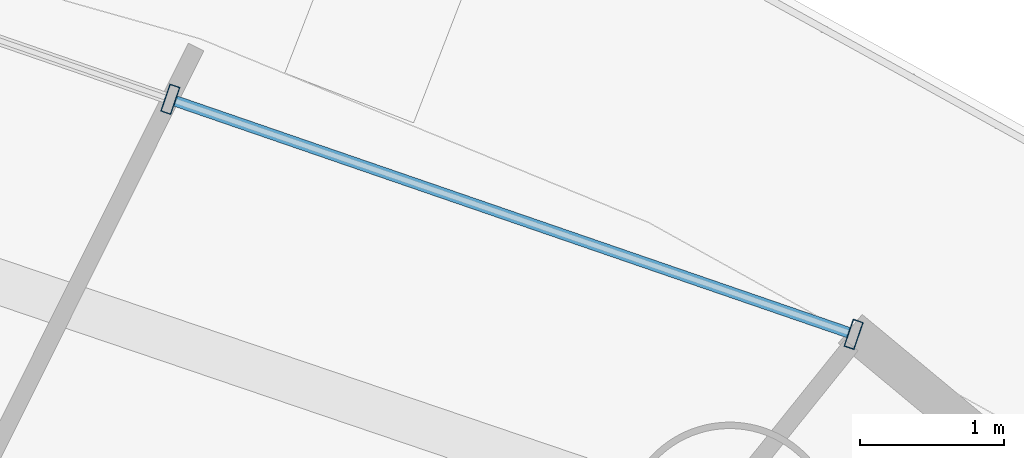
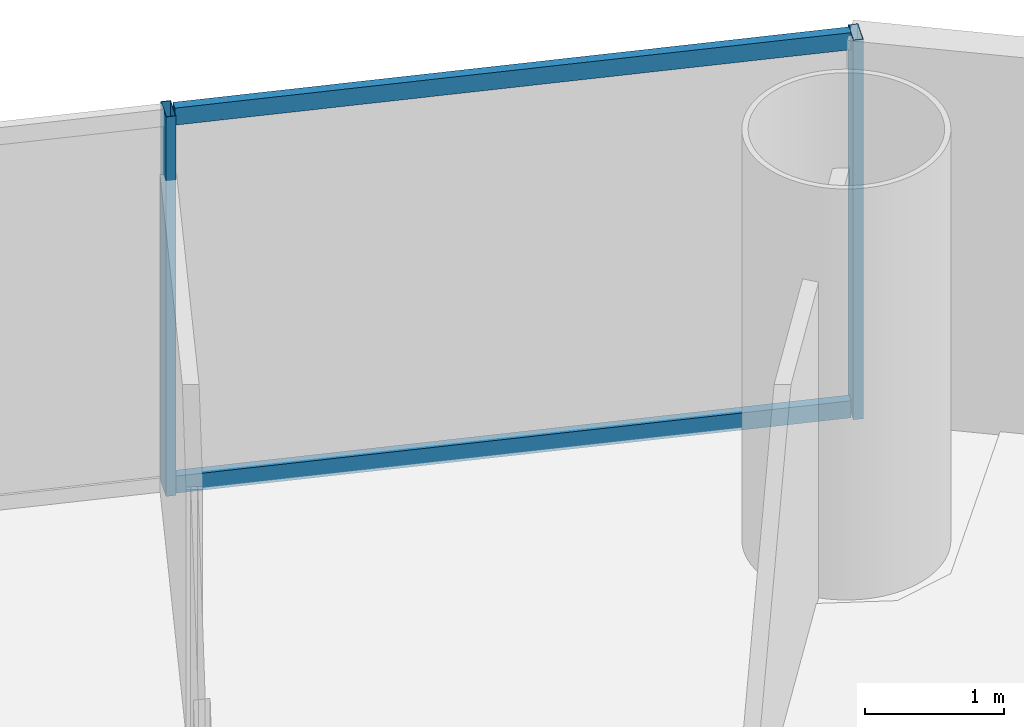
# One storey, part 20 of 29: 4 members, 1 element without a shape of its own.
"""IFC4 building model written with IfcOpenShell, lengths in metres."""

from ifc_helpers import new_model, si_unit, direction, frame, origin, origin_2d, place, context, subcontext, project, spatial, hollow_rectangle, extrude, source, transform, mapped, material, material_profile, profile_set, type_object, element, aggregate, save


model = new_model("IFC4")

# Units and contexts
model_context = context("Model", 3, precision=1e-05, world=origin(), true_north=direction((-0.2419218956, 0.970295726276)))
body_context = subcontext(model_context, "Body", "Model", "MODEL_VIEW")
ifc_project = project(units=[si_unit("LENGTHUNIT", "METRE"), si_unit("AREAUNIT", "SQUARE_METRE"), si_unit("VOLUMEUNIT", "CUBIC_METRE"), si_unit("PLANEANGLEUNIT", "RADIAN"), si_unit("MASSUNIT", "GRAM", prefix="KILO")], contexts=[model_context])

# Site, building, storey
site_placement = place(None, origin())
site = spatial("IfcSite", under=ifc_project, at=site_placement, CompositionType="ELEMENT")
building_placement = place(site_placement, origin())
building = spatial("IfcBuilding", under=site, at=building_placement, Name="Cobrevalo Terracotta Tower", CompositionType="ELEMENT")
storey_placement = place(building_placement, frame((0.0, 0.0, 123.0)))
storey = spatial("IfcBuildingStorey", under=building, at=storey_placement, Name="L32", CompositionType="ELEMENT", Elevation=123.0)

# Curtain wall, members
ifc_material = material(Name="Anodized aluminium", Category="aluminium")
curtain_wall_type = type_object("IfcCurtainWallType", Name="Lower-tower unitised acoustic low-E curtain wall CW-U1", PredefinedType="NOTDEFINED", material=ifc_material)
curtain_wall_placement = place(storey_placement, origin())
curtain_wall = element("IfcCurtainWall", 1, at=curtain_wall_placement, inside=storey, type_object=curtain_wall_type, Name="L32 curtain wall CW-L32-S03", PredefinedType="NOTDEFINED")
ifc_material_profile_1 = material_profile(ifc_material, hollow_rectangle(XDim=0.074951171875, YDim=0.199951171875, WallThickness=0.0048828125, at=origin_2d()), Name="CWM 75x200")
ifc_profile_set_1 = profile_set([ifc_material_profile_1], Name="Anodized aluminium")
member_type_1 = type_object("IfcMemberType", Name="Lower/mid tower unitised mullion 75x200", PredefinedType="MULLION", material=ifc_profile_set_1)
shared_shape_1 = source(origin(), body_context, "Body", "SweptSolid", [
    extrude(hollow_rectangle(XDim=0.074951171875, YDim=0.199951171875, WallThickness=0.0048828125, at=origin_2d()), origin(), (0.0, 0.0, 1.0), 3.324951171875),
])
member_1_placement = place(storey_placement, frame((52.7236328125, 45.16357421875, 0.0), z_axis=(0.0, 0.0, 1.0), x_axis=(-0.94559809868, 0.325337110968, 0.0)))
member_1 = element("IfcMember", 2, at=member_1_placement, type_object=member_type_1, Name="CW-L32-S03 vertical mullion 01", PredefinedType="MULLION", context=body_context, shape_type="MappedRepresentation", body=[
    mapped(shared_shape_1, transform((0.0, 0.0, 0.0), scale=1.0)),
])
member_2_placement = place(storey_placement, frame((47.972412109375, 46.79833984375, 0.0), z_axis=(0.0, 0.0, 1.0), x_axis=(-0.94559809868, 0.325337110968, 0.0)))
member_2 = element("IfcMember", 3, at=member_2_placement, type_object=member_type_1, Name="CW-L32-S03 vertical mullion 02", PredefinedType="MULLION", context=body_context, shape_type="MappedRepresentation", body=[
    mapped(shared_shape_1, transform((0.0, 0.0, 0.0), scale=1.0)),
])
ifc_material_profile_2 = material_profile(ifc_material, hollow_rectangle(XDim=0.074951171875, YDim=0.14990234375, WallThickness=0.00439453125, at=origin_2d()), Name="CWT 75x150")
ifc_profile_set_2 = profile_set([ifc_material_profile_2], Name="Anodized aluminium")
member_type_2 = type_object("IfcMemberType", Name="Tower unitised aluminium transom 75x150", PredefinedType="USERDEFINED", material=ifc_profile_set_2)
shared_shape_2 = source(origin(), body_context, "Body", "SweptSolid", [
    extrude(hollow_rectangle(XDim=0.074951171875, YDim=0.14990234375, WallThickness=0.00439453125, at=origin_2d()), origin(), (0.0, 0.0, 1.0), 4.944580078125),
])
member_3_placement = place(storey_placement, frame((52.685791015625, 45.176513671875, 0.050048828125), z_axis=(-0.945597859971, 0.32533780478, 0.0), x_axis=(-0.32533780478, -0.945597859971, 0.0)))
member_3 = element("IfcMember", 4, at=member_3_placement, type_object=member_type_2, Name="CW-L32-S03 transom B01-T1", ObjectType="TRANSOM", PredefinedType="USERDEFINED", context=body_context, shape_type="MappedRepresentation", body=[
    mapped(shared_shape_2, transform((0.0, 0.0, 0.0), scale=1.0)),
])
member_4_placement = place(storey_placement, frame((52.685791015625, 45.176513671875, 3.27490234375), z_axis=(-0.945597859971, 0.32533780478, 0.0), x_axis=(-0.32533780478, -0.945597859971, 0.0)))
member_4 = element("IfcMember", 5, at=member_4_placement, type_object=member_type_2, Name="CW-L32-S03 transom B01-T2", ObjectType="TRANSOM", PredefinedType="USERDEFINED", context=body_context, shape_type="MappedRepresentation", body=[
    mapped(shared_shape_2, transform((0.0, 0.0, 0.0), scale=1.0)),
])
aggregate(curtain_wall, [member_1, member_2, member_3, member_4])

save(model, "model.ifc")
